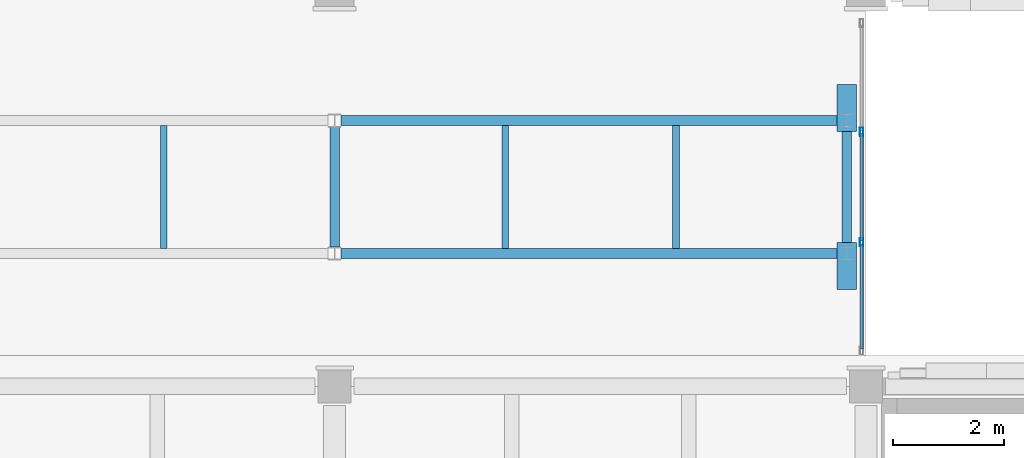
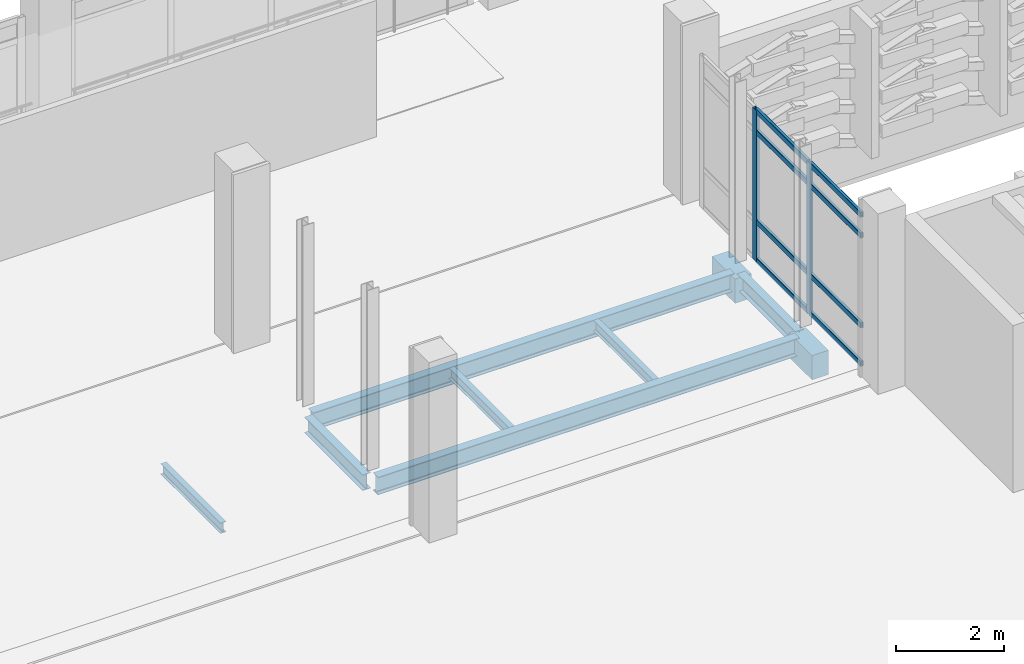
# One storey, part 38 of 134: 10 members, 9 beams, 1 element without a shape of its own.
"""IFC4 building model written with IfcOpenShell, lengths in metres."""

from ifc_helpers import new_model, si_unit, direction, frame, origin, origin_2d, place, context, subcontext, project, spatial, rectangle, hollow_rectangle, i_section, extrude, material, layer, layer_set, material_profile, profile_set, type_object, element, aggregate, save


model = new_model("IFC4")

# Units and contexts
model_context = context("Model", 3, precision=1e-05, world=origin(), true_north=direction((0.0, 1.0)))
body_context = subcontext(model_context, "Body", "Model", "MODEL_VIEW")
ifc_project = project(units=[si_unit("LENGTHUNIT", "METRE"), si_unit("AREAUNIT", "SQUARE_METRE"), si_unit("VOLUMEUNIT", "CUBIC_METRE"), si_unit("PLANEANGLEUNIT", "RADIAN"), si_unit("MASSUNIT", "GRAM", prefix="KILO")], contexts=[model_context])

# Site, building, storey
site_placement = place(None, origin())
site = spatial("IfcSite", under=ifc_project, at=site_placement, CompositionType="ELEMENT")
building_placement = place(site_placement, origin())
building = spatial("IfcBuilding", under=site, at=building_placement, Name="Asteropetra Specialist Clinic", CompositionType="ELEMENT")
storey_placement = place(building_placement, frame((0.0, 0.0, 8.5)))
storey = spatial("IfcBuildingStorey", under=building, at=storey_placement, Name="L02", CompositionType="ELEMENT", Elevation=8.5)

# Beams
ifc_material_1 = material(Name="Concrete C35/45", Category="concrete")
ifc_material_profile_1 = material_profile(ifc_material_1, rectangle(XDim=0.35009765625, YDim=0.550048828125, at=origin_2d()), Name="RCB 350x550")
ifc_profile_set_1 = profile_set([ifc_material_profile_1], Name="Concrete C35/45")
beam_type_1 = type_object("IfcBeamType", Name="BM-RC350x550", PredefinedType="BEAM", material=ifc_profile_set_1)
for number, where, z_axis, x_axis, name in (
    (1, (28.449951171875, 65.0, -0.56005859375), (0.0, -1.0, 0.0), (1.0, 0.0, 0.0), "Bridge Bearing Seat Corbel CRB-15"),
    (2, (28.449951171875, 67.0, -0.56005859375), (0.0, 1.0, 0.0), (-1.0, 0.0, 0.0), "Bridge Bearing Seat Corbel CRB-16"),
):
    element("IfcBeam", number, at=place(storey_placement, frame(where, z_axis=z_axis, x_axis=x_axis)), inside=storey, type_object=beam_type_1, Name=name, PredefinedType="BEAM", context=body_context, shape_type="SweptSolid", body=[
        extrude(rectangle(XDim=0.35009765625, YDim=0.550048828125, at=origin_2d()), origin(), (0.0, 0.0, 1.0), 0.85009765625),
    ])
ifc_material_2 = material(Name="Steel S355", Category="steel")
ifc_material_profile_2 = material_profile(ifc_material_2, i_section(OverallWidth=0.169921875, OverallDepth=0.360107421875, WebThickness=0.008056640625, FlangeThickness=0.0126953125, FilletRadius=0.01806640625, at=origin_2d()), Name="IPE 360")
ifc_profile_set_2 = profile_set([ifc_material_profile_2], Name="Steel S355")
beam_type_2 = type_object("IfcBeamType", Name="BM-STL-IPE360", PredefinedType="BEAM", material=ifc_profile_set_2)
for number, where, z_axis, x_axis, name in (
    (3, (19.199951171875, 64.919921875, -0.419921875), (0.0, 1.0, 0.0), (-1.0, 0.0, 0.0), "Beam BBMS4-1348"),
    (4, (28.449951171875, 64.919921875, -0.419921875), (0.0, 1.0, 0.0), (-1.0, 0.0, 0.0), "Beam BBMS4-1349"),
):
    element("IfcBeam", number, at=place(storey_placement, frame(where, z_axis=z_axis, x_axis=x_axis)), inside=storey, type_object=beam_type_2, Name=name, PredefinedType="BEAM", context=body_context, shape_type="SweptSolid", body=[
        extrude(i_section(OverallWidth=0.169921875, OverallDepth=0.360107421875, WebThickness=0.008056640625, FlangeThickness=0.0126953125, FilletRadius=0.01806640625, at=origin_2d()), origin(), (0.0, 0.0, 1.0), 2.16015625),
    ])
ifc_material_3 = material(Name="Steel S355", Category="steel")
ifc_material_profile_3 = material_profile(ifc_material_3, i_section(OverallWidth=0.179931640625, OverallDepth=0.39990234375, WebThickness=0.008544921875, FlangeThickness=0.013427734375, FilletRadius=0.02099609375, at=origin_2d()), Name="IPE 400")
ifc_profile_set_3 = profile_set([ifc_material_profile_3], Name="Steel S355")
beam_type_3 = type_object("IfcBeamType", Name="BM-STL-IPE400", PredefinedType="BEAM", material=ifc_profile_set_3)
for number, where, z_axis, x_axis, name in (
    (5, (19.320068359375, 64.800048828125, -0.43994140625), (1.0, 0.0, 0.0), (0.0, 1.0, 0.0), "Beam BBMS3-1344"),
    (6, (19.320068359375, 67.199951171875, -0.43994140625), (1.0, 0.0, 0.0), (0.0, 1.0, 0.0), "Beam BBMS3-1346"),
):
    element("IfcBeam", number, at=place(storey_placement, frame(where, z_axis=z_axis, x_axis=x_axis)), inside=storey, type_object=beam_type_3, Name=name, PredefinedType="BEAM", context=body_context, shape_type="SweptSolid", body=[
        extrude(i_section(OverallWidth=0.179931640625, OverallDepth=0.39990234375, WebThickness=0.008544921875, FlangeThickness=0.013427734375, FilletRadius=0.02099609375, at=origin_2d()), origin(), (0.0, 0.0, 1.0), 9.010009765625),
    ])

# Curtain wall, members
ifc_material_4 = material(Name="Aluminium and low-E glass", Category="aluminium")
ifc_layer = layer(ifc_material_4, 0.135009765625)
ifc_layer_set = layer_set([ifc_layer], Name="Aluminium and low-E glass")
curtain_wall_type = type_object("IfcCurtainWallType", Name="CW-SYS-09", PredefinedType="USERDEFINED", material=ifc_layer_set)
curtain_wall_placement = place(storey_placement, origin())
curtain_wall = element("IfcCurtainWall", 7, at=curtain_wall_placement, inside=storey, type_object=curtain_wall_type, Name="Curtain Wall CW-106", ObjectType="STICK GLAZED COLONNADE", PredefinedType="USERDEFINED")
ifc_material_5 = material(Name="Aluminium 6063-T6", Category="aluminium")
ifc_material_profile_4 = material_profile(ifc_material_5, hollow_rectangle(XDim=0.06494140625, YDim=0.14990234375, WallThickness=0.00390625, InnerFilletRadius=0.00390625, OuterFilletRadius=0.008056640625, at=origin_2d()), Name="MUL 150x65x4.0")
ifc_profile_set_4 = profile_set([ifc_material_profile_4], Name="Aluminium 6063-T6")
member_type_1 = type_object("IfcMemberType", Name="CWM-150x65", PredefinedType="MULLION", material=ifc_profile_set_4)
member_1_placement = place(storey_placement, frame((28.719970703125, 66.99658203125, 0.0), z_axis=(0.0, 0.0, 1.0), x_axis=(1.0, 0.0, 0.0)))
member_1 = element("IfcMember", 8, at=member_1_placement, type_object=member_type_1, Name="CW-106 mullion 2", PredefinedType="MULLION", context=body_context, shape_type="SweptSolid", body=[
    extrude(hollow_rectangle(XDim=0.06494140625, YDim=0.14990234375, WallThickness=0.00390625, InnerFilletRadius=0.00390625, OuterFilletRadius=0.008056640625, at=origin_2d()), origin(), (0.0, 0.0, 1.0), 3.429931640625),
])
member_2_placement = place(storey_placement, frame((28.719970703125, 65.00341796875, 0.0), z_axis=(0.0, 0.0, 1.0), x_axis=(1.0, 0.0, 0.0)))
member_2 = element("IfcMember", 9, at=member_2_placement, type_object=member_type_1, Name="CW-106 mullion 3", PredefinedType="MULLION", context=body_context, shape_type="SweptSolid", body=[
    extrude(hollow_rectangle(XDim=0.06494140625, YDim=0.14990234375, WallThickness=0.00390625, InnerFilletRadius=0.00390625, OuterFilletRadius=0.008056640625, at=origin_2d()), origin(), (0.0, 0.0, 1.0), 3.429931640625),
])
ifc_material_6 = material(Name="Aluminium 6063-T6", Category="aluminium")
ifc_material_profile_5 = material_profile(ifc_material_6, hollow_rectangle(XDim=0.06494140625, YDim=0.1201171875, WallThickness=0.00390625, InnerFilletRadius=0.00390625, OuterFilletRadius=0.008056640625, at=origin_2d()), Name="TRN 120x65x4.0")
ifc_profile_set_5 = profile_set([ifc_material_profile_5], Name="Aluminium 6063-T6")
member_type_2 = type_object("IfcMemberType", Name="CWT-120x65", PredefinedType="USERDEFINED", material=ifc_profile_set_5)
member_3_placement = place(storey_placement, frame((28.719970703125, 66.964111328125, 0.032470703125), z_axis=(0.0, -1.0, 0.0), x_axis=(1.0, 0.0, 0.0)))
member_3 = element("IfcMember", 10, at=member_3_placement, type_object=member_type_2, Name="CW-106 transom 2.1", ObjectType="TRANSOM", PredefinedType="USERDEFINED", context=body_context, shape_type="SweptSolid", body=[
    extrude(hollow_rectangle(XDim=0.06494140625, YDim=0.1201171875, WallThickness=0.00390625, InnerFilletRadius=0.00390625, OuterFilletRadius=0.008056640625, at=origin_2d()), origin(), (0.0, 0.0, 1.0), 1.92822265625),
])
member_4_placement = place(storey_placement, frame((28.719970703125, 66.964111328125, 0.89990234375), z_axis=(0.0, -1.0, 0.0), x_axis=(1.0, 0.0, 0.0)))
member_4 = element("IfcMember", 11, at=member_4_placement, type_object=member_type_2, Name="CW-106 transom 2.2", ObjectType="TRANSOM", PredefinedType="USERDEFINED", context=body_context, shape_type="SweptSolid", body=[
    extrude(hollow_rectangle(XDim=0.06494140625, YDim=0.1201171875, WallThickness=0.00390625, InnerFilletRadius=0.00390625, OuterFilletRadius=0.008056640625, at=origin_2d()), origin(), (0.0, 0.0, 1.0), 1.92822265625),
])
member_5_placement = place(storey_placement, frame((28.719970703125, 66.964111328125, 2.929931640625), z_axis=(0.0, -1.0, 0.0), x_axis=(1.0, 0.0, 0.0)))
member_5 = element("IfcMember", 12, at=member_5_placement, type_object=member_type_2, Name="CW-106 transom 2.3", ObjectType="TRANSOM", PredefinedType="USERDEFINED", context=body_context, shape_type="SweptSolid", body=[
    extrude(hollow_rectangle(XDim=0.06494140625, YDim=0.1201171875, WallThickness=0.00390625, InnerFilletRadius=0.00390625, OuterFilletRadius=0.008056640625, at=origin_2d()), origin(), (0.0, 0.0, 1.0), 1.92822265625),
])
member_6_placement = place(storey_placement, frame((28.719970703125, 66.964111328125, 3.3974609375), z_axis=(0.0, -1.0, 0.0), x_axis=(1.0, 0.0, 0.0)))
member_6 = element("IfcMember", 13, at=member_6_placement, type_object=member_type_2, Name="CW-106 transom 2.4", ObjectType="TRANSOM", PredefinedType="USERDEFINED", context=body_context, shape_type="SweptSolid", body=[
    extrude(hollow_rectangle(XDim=0.06494140625, YDim=0.1201171875, WallThickness=0.00390625, InnerFilletRadius=0.00390625, OuterFilletRadius=0.008056640625, at=origin_2d()), origin(), (0.0, 0.0, 1.0), 1.92822265625),
])
member_7_placement = place(storey_placement, frame((28.719970703125, 64.970947265625, 0.032470703125), z_axis=(0.0, -1.0, 0.0), x_axis=(1.0, 0.0, 0.0)))
member_7 = element("IfcMember", 14, at=member_7_placement, type_object=member_type_2, Name="CW-106 transom 3.1", ObjectType="TRANSOM", PredefinedType="USERDEFINED", context=body_context, shape_type="SweptSolid", body=[
    extrude(hollow_rectangle(XDim=0.06494140625, YDim=0.1201171875, WallThickness=0.00390625, InnerFilletRadius=0.00390625, OuterFilletRadius=0.008056640625, at=origin_2d()), origin(), (0.0, 0.0, 1.0), 1.89599609375),
])
member_8_placement = place(storey_placement, frame((28.719970703125, 64.970947265625, 0.89990234375), z_axis=(0.0, -1.0, 0.0), x_axis=(1.0, 0.0, 0.0)))
member_8 = element("IfcMember", 15, at=member_8_placement, type_object=member_type_2, Name="CW-106 transom 3.2", ObjectType="TRANSOM", PredefinedType="USERDEFINED", context=body_context, shape_type="SweptSolid", body=[
    extrude(hollow_rectangle(XDim=0.06494140625, YDim=0.1201171875, WallThickness=0.00390625, InnerFilletRadius=0.00390625, OuterFilletRadius=0.008056640625, at=origin_2d()), origin(), (0.0, 0.0, 1.0), 1.89599609375),
])
member_9_placement = place(storey_placement, frame((28.719970703125, 64.970947265625, 2.929931640625), z_axis=(0.0, -1.0, 0.0), x_axis=(1.0, 0.0, 0.0)))
member_9 = element("IfcMember", 16, at=member_9_placement, type_object=member_type_2, Name="CW-106 transom 3.3", ObjectType="TRANSOM", PredefinedType="USERDEFINED", context=body_context, shape_type="SweptSolid", body=[
    extrude(hollow_rectangle(XDim=0.06494140625, YDim=0.1201171875, WallThickness=0.00390625, InnerFilletRadius=0.00390625, OuterFilletRadius=0.008056640625, at=origin_2d()), origin(), (0.0, 0.0, 1.0), 1.89599609375),
])
member_10_placement = place(storey_placement, frame((28.719970703125, 64.970947265625, 3.3974609375), z_axis=(0.0, -1.0, 0.0), x_axis=(1.0, 0.0, 0.0)))
member_10 = element("IfcMember", 17, at=member_10_placement, type_object=member_type_2, Name="CW-106 transom 3.4", ObjectType="TRANSOM", PredefinedType="USERDEFINED", context=body_context, shape_type="SweptSolid", body=[
    extrude(hollow_rectangle(XDim=0.06494140625, YDim=0.1201171875, WallThickness=0.00390625, InnerFilletRadius=0.00390625, OuterFilletRadius=0.008056640625, at=origin_2d()), origin(), (0.0, 0.0, 1.0), 1.89599609375),
])
aggregate(curtain_wall, [member_1, member_2, member_3, member_4, member_5, member_6, member_7, member_8, member_9, member_10])

# Beams
ifc_material_7 = material(Name="Steel S355", Category="steel")
ifc_material_profile_6 = material_profile(ifc_material_7, i_section(OverallWidth=0.1201171875, OverallDepth=0.239990234375, WebThickness=0.006103515625, FlangeThickness=0.009765625, FilletRadius=0.014892578125, at=origin_2d()), Name="IPE 240")
ifc_profile_set_6 = profile_set([ifc_material_profile_6], Name="Steel S355")
beam_type_4 = type_object("IfcBeamType", Name="JST-STL-IPE240", PredefinedType="JOIST", material=ifc_profile_set_6)
for number, where, z_axis, x_axis, name in (
    (18, (16.11669921875, 64.889892578125, -0.360107421875), (0.0, 1.0, 0.0), (-1.0, 0.0, 0.0), "Joist JJSTS1-1351"),
    (19, (22.283203125, 64.889892578125, -0.360107421875), (0.0, 1.0, 0.0), (-1.0, 0.0, 0.0), "Joist JJSTS1-1352"),
    (20, (25.36669921875, 64.889892578125, -0.360107421875), (0.0, 1.0, 0.0), (-1.0, 0.0, 0.0), "Joist JJSTS1-1353"),
):
    element("IfcBeam", number, at=place(storey_placement, frame(where, z_axis=z_axis, x_axis=x_axis)), inside=storey, type_object=beam_type_4, Name=name, PredefinedType="JOIST", context=body_context, shape_type="SweptSolid", body=[
        extrude(i_section(OverallWidth=0.1201171875, OverallDepth=0.239990234375, WebThickness=0.006103515625, FlangeThickness=0.009765625, FilletRadius=0.014892578125, at=origin_2d()), origin(), (0.0, 0.0, 1.0), 2.22021484375),
    ])

save(model, "model.ifc")
